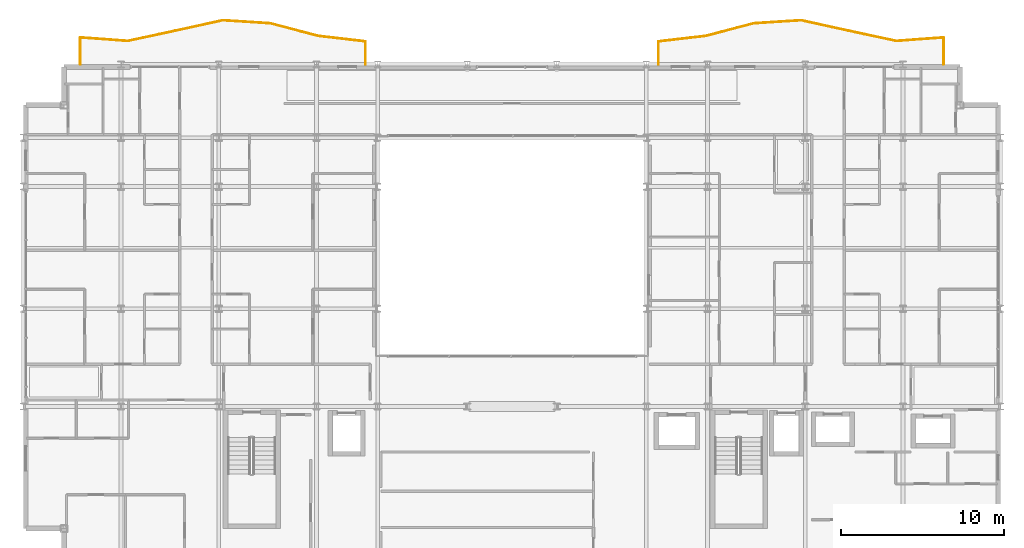
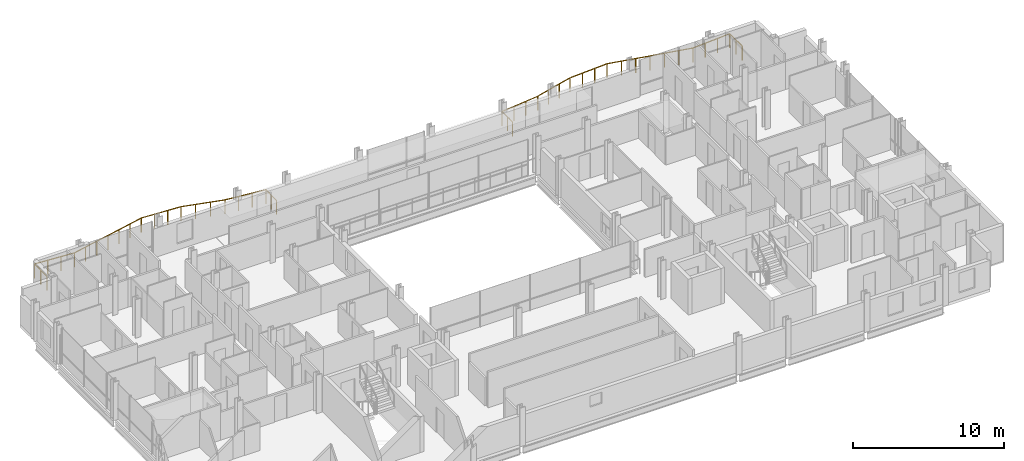
# One storey, part 41 of 41: 2 railings.
"""IFC4 building model written with IfcOpenShell, lengths in metres."""

from ifc_helpers import new_model, si_unit, direction, frame, origin, origin_2d, place, context, subcontext, project, spatial, circle, extrude, material, type_object, element, save


model = new_model("IFC4")

# Units and contexts
model_context = context("Model", 3, precision=1e-05, world=origin(), true_north=direction((0.0, 1.0)))
body_context = subcontext(model_context, "Body", "Model", "MODEL_VIEW")
ifc_project = project(units=[si_unit("LENGTHUNIT", "METRE"), si_unit("AREAUNIT", "SQUARE_METRE"), si_unit("VOLUMEUNIT", "CUBIC_METRE"), si_unit("PLANEANGLEUNIT", "RADIAN"), si_unit("MASSUNIT", "GRAM", prefix="KILO")], contexts=[model_context])

# Site, building, storey
site_placement = place(None, origin())
site = spatial("IfcSite", under=ifc_project, at=site_placement, CompositionType="ELEMENT")
building_placement = place(site_placement, origin())
building = spatial("IfcBuilding", under=site, at=building_placement, Name="Brevholm Reach", CompositionType="ELEMENT")
storey_placement = place(building_placement, frame((0.0, 0.0, 112.800048828125)))
storey = spatial("IfcBuildingStorey", under=building, at=storey_placement, Name="L33", CompositionType="ELEMENT", Elevation=112.800048828125)

# Railings
ifc_material = material(Name="Brushed Stainless Steel EN 1.4401 and Laminated Glass", Category="steel")
railing_type = type_object("IfcRailingType", Name="RAL-BALC-1150", PredefinedType="BALUSTRADE", material=ifc_material)
railing_1_placement = place(storey_placement, frame((56.5, 31.0, 0.0)))
element("IfcRailing", 1, at=railing_1_placement, inside=storey, type_object=railing_type, Name="L33 Guard Balustrade RAL-L33-BAL-NE", PredefinedType="BALUSTRADE", context=body_context, shape_type="SweptSolid", body=[
    extrude(circle(Radius=0.02392578125, at=origin_2d()), frame((0.0, 0.0, 1.1259765625), z_axis=(0.0, 1.0, 0.0), x_axis=(-1.0, 0.0, 0.0)), (0.0, 0.0, 1.0), 1.650146484375),
    extrude(circle(Radius=0.02392578125, at=origin_2d()), frame((0.0, 1.650146484375, 1.1259765625), z_axis=(-0.997334760815, -0.072961461535, 0.0), x_axis=(0.072961461535, -0.997334760815, 0.0)), (0.0, 0.0, 1.0), 2.924560546875),
    extrude(circle(Radius=0.02392578125, at=origin_2d()), frame((-2.916748046875, 1.436767578125, 1.1259765625), z_axis=(-0.977699293222, 0.21000974271, 0.0), x_axis=(-0.21000974271, -0.977699293222, 0.0)), (0.0, 0.0, 1.0), 2.98291015625),
    extrude(circle(Radius=0.02392578125, at=origin_2d()), frame((-5.833251953125, 2.063232421875, 1.1259765625), z_axis=(-0.976633143635, 0.214913244715, 0.0), x_axis=(-0.214913244715, -0.976633143635, 0.0)), (0.0, 0.0, 1.0), 2.986572265625),
    extrude(circle(Radius=0.02392578125, at=origin_2d()), frame((-8.75, 2.705078125, 1.1259765625), z_axis=(-0.997945514781, -0.06406831923, 0.0), x_axis=(0.06406831923, -0.997945514781, 0.0)), (0.0, 0.0, 1.0), 2.9228515625),
    extrude(circle(Radius=0.02392578125, at=origin_2d()), frame((-11.666748046875, 2.517822265625, 1.1259765625), z_axis=(-0.966868735292, -0.255274065889, 0.0), x_axis=(0.255274065889, -0.966868735292, 0.0)), (0.0, 0.0, 1.0), 3.016357421875),
    extrude(circle(Radius=0.02392578125, at=origin_2d()), frame((-14.583251953125, 1.747802734375, 1.1259765625), z_axis=(-0.99329006652, -0.11564965954, 0.0), x_axis=(0.11564965954, -0.99329006652, 0.0)), (0.0, 0.0, 1.0), 2.9365234375),
    extrude(circle(Radius=0.02392578125, at=origin_2d()), frame((-17.5, 1.408203125, 1.1259765625), z_axis=(0.0, -1.0, 0.0), x_axis=(1.0, 0.0, 0.0)), (0.0, 0.0, 1.0), 1.408203125),
    extrude(circle(Radius=0.02099609375, at=origin_2d()), origin(), (0.0, 0.0, 1.0), 1.101806640625),
    extrude(circle(Radius=0.02099609375, at=origin_2d()), frame((0.0, 0.8251953125, 0.0)), (0.0, 0.0, 1.0), 1.101806640625),
    extrude(circle(Radius=0.02099609375, at=origin_2d()), frame((0.0, 1.650146484375, 0.0)), (0.0, 0.0, 1.0), 1.101806640625),
    extrude(circle(Radius=0.02099609375, at=origin_2d()), frame((-0.97216796875, 1.5791015625, 0.0)), (0.0, 0.0, 1.0), 1.101806640625),
    extrude(circle(Radius=0.02099609375, at=origin_2d()), frame((-1.944580078125, 1.5078125, 0.0)), (0.0, 0.0, 1.0), 1.101806640625),
    extrude(circle(Radius=0.02099609375, at=origin_2d()), frame((-2.916748046875, 1.436767578125, 0.0)), (0.0, 0.0, 1.0), 1.101806640625),
    extrude(circle(Radius=0.02099609375, at=origin_2d()), frame((-3.888916015625, 1.6455078125, 0.0)), (0.0, 0.0, 1.0), 1.101806640625),
    extrude(circle(Radius=0.02099609375, at=origin_2d()), frame((-4.861083984375, 1.8544921875, 0.0)), (0.0, 0.0, 1.0), 1.101806640625),
    extrude(circle(Radius=0.02099609375, at=origin_2d()), frame((-5.833251953125, 2.063232421875, 0.0)), (0.0, 0.0, 1.0), 1.101806640625),
    extrude(circle(Radius=0.02099609375, at=origin_2d()), frame((-6.805419921875, 2.277099609375, 0.0)), (0.0, 0.0, 1.0), 1.101806640625),
    extrude(circle(Radius=0.02099609375, at=origin_2d()), frame((-7.77783203125, 2.4912109375, 0.0)), (0.0, 0.0, 1.0), 1.101806640625),
    extrude(circle(Radius=0.02099609375, at=origin_2d()), frame((-8.75, 2.705078125, 0.0)), (0.0, 0.0, 1.0), 1.101806640625),
    extrude(circle(Radius=0.02099609375, at=origin_2d()), frame((-9.72216796875, 2.642578125, 0.0)), (0.0, 0.0, 1.0), 1.101806640625),
    extrude(circle(Radius=0.02099609375, at=origin_2d()), frame((-10.694580078125, 2.580322265625, 0.0)), (0.0, 0.0, 1.0), 1.101806640625),
    extrude(circle(Radius=0.02099609375, at=origin_2d()), frame((-11.666748046875, 2.517822265625, 0.0)), (0.0, 0.0, 1.0), 1.101806640625),
    extrude(circle(Radius=0.02099609375, at=origin_2d()), frame((-12.638916015625, 2.26123046875, 0.0)), (0.0, 0.0, 1.0), 1.101806640625),
    extrude(circle(Radius=0.02099609375, at=origin_2d()), frame((-13.611083984375, 2.00439453125, 0.0)), (0.0, 0.0, 1.0), 1.101806640625),
    extrude(circle(Radius=0.02099609375, at=origin_2d()), frame((-14.583251953125, 1.747802734375, 0.0)), (0.0, 0.0, 1.0), 1.101806640625),
    extrude(circle(Radius=0.02099609375, at=origin_2d()), frame((-15.555419921875, 1.634521484375, 0.0)), (0.0, 0.0, 1.0), 1.101806640625),
    extrude(circle(Radius=0.02099609375, at=origin_2d()), frame((-16.52783203125, 1.521484375, 0.0)), (0.0, 0.0, 1.0), 1.101806640625),
    extrude(circle(Radius=0.02099609375, at=origin_2d()), frame((-17.5, 1.408203125, 0.0)), (0.0, 0.0, 1.0), 1.101806640625),
    extrude(circle(Radius=0.02099609375, at=origin_2d()), frame((-17.5, 0.7041015625, 0.0)), (0.0, 0.0, 1.0), 1.101806640625),
    extrude(circle(Radius=0.02099609375, at=origin_2d()), frame((-17.5, 0.0, 0.0)), (0.0, 0.0, 1.0), 1.101806640625),
])
railing_2_placement = place(storey_placement, frame((21.0, 31.0, 0.0)))
element("IfcRailing", 2, at=railing_2_placement, inside=storey, type_object=railing_type, Name="L33 Guard Balustrade RAL-L33-BAL-NW", PredefinedType="BALUSTRADE", context=body_context, shape_type="SweptSolid", body=[
    extrude(circle(Radius=0.02392578125, at=origin_2d()), frame((0.0, 0.0, 1.1259765625), z_axis=(0.0, 1.0, 0.0), x_axis=(-1.0, 0.0, 0.0)), (0.0, 0.0, 1.0), 1.408203125),
    extrude(circle(Radius=0.02392578125, at=origin_2d()), frame((0.0, 1.408203125, 1.1259765625), z_axis=(-0.99329006652, 0.11564965954, 0.0), x_axis=(-0.11564965954, -0.99329006652, 0.0)), (0.0, 0.0, 1.0), 2.9365234375),
    extrude(circle(Radius=0.02392578125, at=origin_2d()), frame((-2.916748046875, 1.747802734375, 1.1259765625), z_axis=(-0.966868735292, 0.255274065889, 0.0), x_axis=(-0.255274065889, -0.966868735292, 0.0)), (0.0, 0.0, 1.0), 3.016357421875),
    extrude(circle(Radius=0.02392578125, at=origin_2d()), frame((-5.833251953125, 2.517822265625, 1.1259765625), z_axis=(-0.997945514781, 0.06406831923, 0.0), x_axis=(-0.06406831923, -0.997945514781, 0.0)), (0.0, 0.0, 1.0), 2.9228515625),
    extrude(circle(Radius=0.02392578125, at=origin_2d()), frame((-8.75, 2.705078125, 1.1259765625), z_axis=(-0.976633143635, -0.214913244715, 0.0), x_axis=(0.214913244715, -0.976633143635, 0.0)), (0.0, 0.0, 1.0), 2.986572265625),
    extrude(circle(Radius=0.02392578125, at=origin_2d()), frame((-11.666748046875, 2.063232421875, 1.1259765625), z_axis=(-0.977699293222, -0.21000974271, 0.0), x_axis=(0.21000974271, -0.977699293222, 0.0)), (0.0, 0.0, 1.0), 2.98291015625),
    extrude(circle(Radius=0.02392578125, at=origin_2d()), frame((-14.583251953125, 1.436767578125, 1.1259765625), z_axis=(-0.997334760815, 0.072961461535, 0.0), x_axis=(-0.072961461535, -0.997334760815, 0.0)), (0.0, 0.0, 1.0), 2.924560546875),
    extrude(circle(Radius=0.02392578125, at=origin_2d()), frame((-17.5, 1.650146484375, 1.1259765625), z_axis=(0.0, -1.0, 0.0), x_axis=(1.0, 0.0, 0.0)), (0.0, 0.0, 1.0), 1.650146484375),
    extrude(circle(Radius=0.02099609375, at=origin_2d()), origin(), (0.0, 0.0, 1.0), 1.101806640625),
    extrude(circle(Radius=0.02099609375, at=origin_2d()), frame((0.0, 0.7041015625, 0.0)), (0.0, 0.0, 1.0), 1.101806640625),
    extrude(circle(Radius=0.02099609375, at=origin_2d()), frame((0.0, 1.408203125, 0.0)), (0.0, 0.0, 1.0), 1.101806640625),
    extrude(circle(Radius=0.02099609375, at=origin_2d()), frame((-0.97216796875, 1.521484375, 0.0)), (0.0, 0.0, 1.0), 1.101806640625),
    extrude(circle(Radius=0.02099609375, at=origin_2d()), frame((-1.944580078125, 1.634521484375, 0.0)), (0.0, 0.0, 1.0), 1.101806640625),
    extrude(circle(Radius=0.02099609375, at=origin_2d()), frame((-2.916748046875, 1.747802734375, 0.0)), (0.0, 0.0, 1.0), 1.101806640625),
    extrude(circle(Radius=0.02099609375, at=origin_2d()), frame((-3.888916015625, 2.00439453125, 0.0)), (0.0, 0.0, 1.0), 1.101806640625),
    extrude(circle(Radius=0.02099609375, at=origin_2d()), frame((-4.861083984375, 2.26123046875, 0.0)), (0.0, 0.0, 1.0), 1.101806640625),
    extrude(circle(Radius=0.02099609375, at=origin_2d()), frame((-5.833251953125, 2.517822265625, 0.0)), (0.0, 0.0, 1.0), 1.101806640625),
    extrude(circle(Radius=0.02099609375, at=origin_2d()), frame((-6.805419921875, 2.580322265625, 0.0)), (0.0, 0.0, 1.0), 1.101806640625),
    extrude(circle(Radius=0.02099609375, at=origin_2d()), frame((-7.77783203125, 2.642578125, 0.0)), (0.0, 0.0, 1.0), 1.101806640625),
    extrude(circle(Radius=0.02099609375, at=origin_2d()), frame((-8.75, 2.705078125, 0.0)), (0.0, 0.0, 1.0), 1.101806640625),
    extrude(circle(Radius=0.02099609375, at=origin_2d()), frame((-9.72216796875, 2.4912109375, 0.0)), (0.0, 0.0, 1.0), 1.101806640625),
    extrude(circle(Radius=0.02099609375, at=origin_2d()), frame((-10.694580078125, 2.277099609375, 0.0)), (0.0, 0.0, 1.0), 1.101806640625),
    extrude(circle(Radius=0.02099609375, at=origin_2d()), frame((-11.666748046875, 2.063232421875, 0.0)), (0.0, 0.0, 1.0), 1.101806640625),
    extrude(circle(Radius=0.02099609375, at=origin_2d()), frame((-12.638916015625, 1.8544921875, 0.0)), (0.0, 0.0, 1.0), 1.101806640625),
    extrude(circle(Radius=0.02099609375, at=origin_2d()), frame((-13.611083984375, 1.6455078125, 0.0)), (0.0, 0.0, 1.0), 1.101806640625),
    extrude(circle(Radius=0.02099609375, at=origin_2d()), frame((-14.583251953125, 1.436767578125, 0.0)), (0.0, 0.0, 1.0), 1.101806640625),
    extrude(circle(Radius=0.02099609375, at=origin_2d()), frame((-15.555419921875, 1.5078125, 0.0)), (0.0, 0.0, 1.0), 1.101806640625),
    extrude(circle(Radius=0.02099609375, at=origin_2d()), frame((-16.52783203125, 1.5791015625, 0.0)), (0.0, 0.0, 1.0), 1.101806640625),
    extrude(circle(Radius=0.02099609375, at=origin_2d()), frame((-17.5, 1.650146484375, 0.0)), (0.0, 0.0, 1.0), 1.101806640625),
    extrude(circle(Radius=0.02099609375, at=origin_2d()), frame((-17.5, 0.8251953125, 0.0)), (0.0, 0.0, 1.0), 1.101806640625),
    extrude(circle(Radius=0.02099609375, at=origin_2d()), frame((-17.5, 0.0, 0.0)), (0.0, 0.0, 1.0), 1.101806640625),
])

save(model, "model.ifc")
